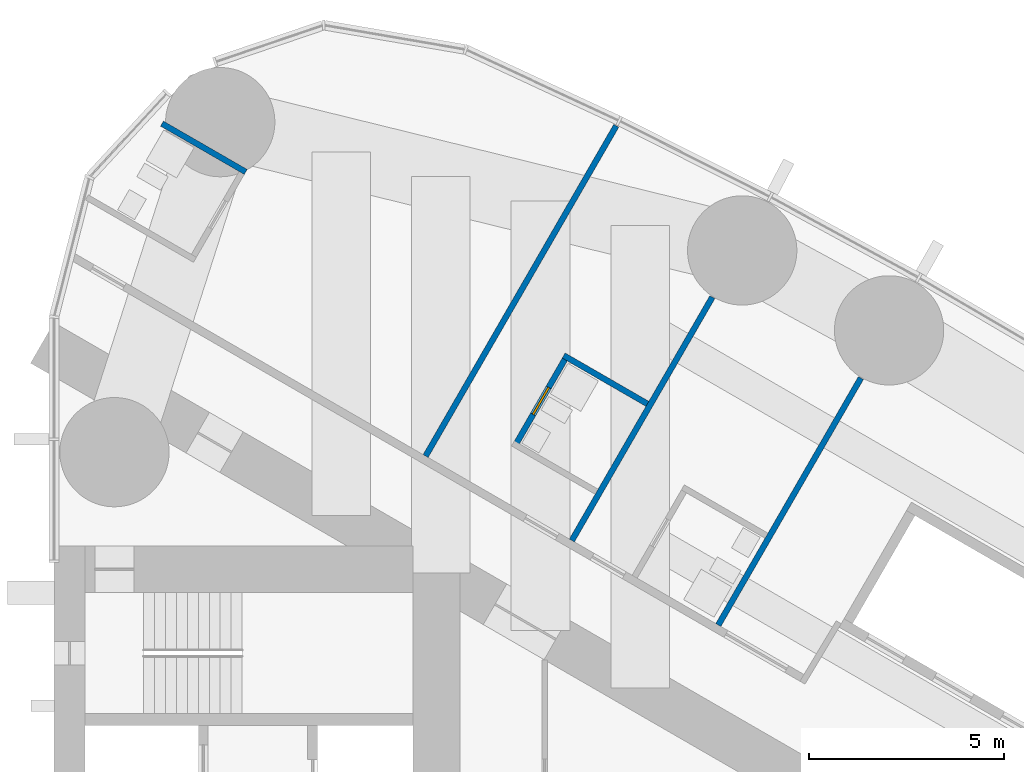
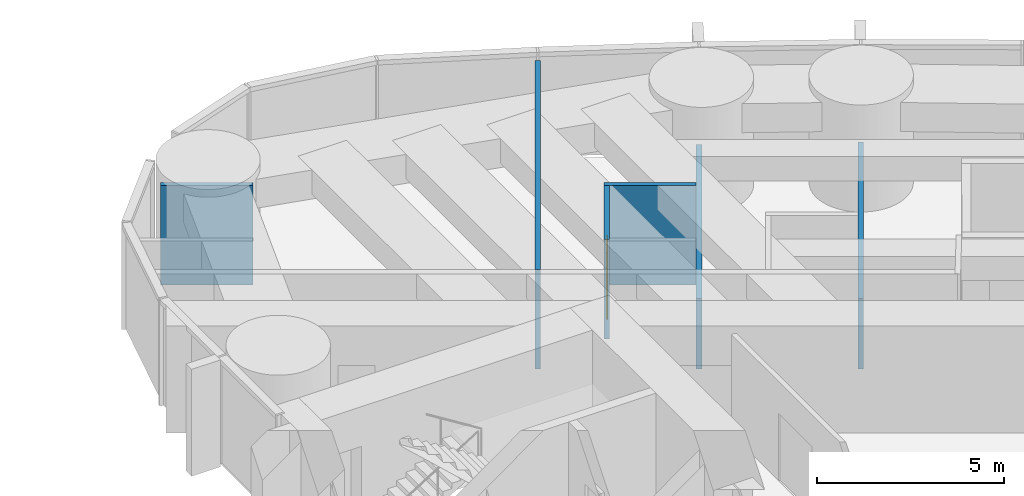
# One storey, part 16 of 19: 6 walls, 1 door, 1 opening.
"""IFC4 building model written with IfcOpenShell, lengths in metres."""

from ifc_helpers import new_model, si_unit, direction, frame, frame_2d, origin, place, context, subcontext, project, spatial, rectangle, extrude, material, layer, layer_set, type_object, element, fill, save


model = new_model("IFC4")

# Units and contexts
model_context = context("Model", 3, precision=1e-05, world=origin(), true_north=direction((0.0, 1.0)))
body_context = subcontext(model_context, "Body", "Model", "MODEL_VIEW")
ifc_project = project(units=[si_unit("LENGTHUNIT", "METRE"), si_unit("AREAUNIT", "SQUARE_METRE"), si_unit("VOLUMEUNIT", "CUBIC_METRE"), si_unit("PLANEANGLEUNIT", "RADIAN"), si_unit("MASSUNIT", "GRAM", prefix="KILO")], contexts=[model_context])

# Site, building, storey
site_placement = place(None, origin())
site = spatial("IfcSite", under=ifc_project, at=site_placement, CompositionType="ELEMENT")
building_placement = place(site_placement, origin())
building = spatial("IfcBuilding", under=site, at=building_placement, Name="Lancet Gate Hotel", CompositionType="ELEMENT")
storey_placement = place(building_placement, frame((0.0, 0.0, 163.300048828125)))
storey = spatial("IfcBuildingStorey", under=building, at=storey_placement, Name="L43", CompositionType="ELEMENT", Elevation=163.300048828125)

# Wall
ifc_material_1 = material(Name="Moisture resistant board partition")
ifc_layer_1 = layer(ifc_material_1, 0.14990234375)
ifc_layer_set_1 = layer_set([ifc_layer_1], Name="Bathroom wall 150")
wall_type_1 = type_object("IfcWallType", Name="Bathroom wall 150", PredefinedType="PARTITIONING", material=ifc_layer_set_1)
wall_1_placement = place(storey_placement, frame((40.56103515625, 13.47607421875, 0.0), z_axis=(0.0, 0.0, 1.0), x_axis=(0.866006523861, -0.500032699561, 0.0)))
element("IfcWall", 1, at=wall_1_placement, inside=storey, type_object=wall_type_1, Name="T2 bathroom wall 150 L43", PredefinedType="PARTITIONING", context=body_context, shape_type="SweptSolid", body=[
    extrude(rectangle(XDim=2.474853515625, YDim=0.14990234375, at=frame_2d((1.2373046875, 0.0))), origin(), (0.0, 0.0, 1.0), 3.25),
])

# Wall, opening, door
wall_2_placement = place(storey_placement, frame((39.325927734375, 11.18701171875, 0.0), z_axis=(0.0, 0.0, 1.0), x_axis=(0.500047596559, 0.865997922154, 0.0)))
wall_2 = element("IfcWall", 2, at=wall_2_placement, inside=storey, type_object=wall_type_1, Name="T2 bathroom wall 150 L43", PredefinedType="PARTITIONING", context=body_context, shape_type="SweptSolid", body=[
    extrude(rectangle(XDim=2.599853515625, YDim=0.14990234375, at=frame_2d((1.2998046875, 0.0))), origin(), (0.0, 0.0, 1.0), 3.25),
])
opening_placement = place(wall_2_placement, frame((0.89990234375, 0.0, 0.0)))
opening = element("IfcOpeningElement", 3, at=opening_placement, cuts=wall_2, Name="Opening 4362-B", PredefinedType="OPENING", context=body_context, shape_type="SweptSolid", body=[
    extrude(rectangle(XDim=0.800048828125, YDim=2.199951171875, at=frame_2d((0.39990234375, 1.10009765625))), frame((0.0, 0.0849609375, 0.0), z_axis=(0.0, -1.0, 0.0), x_axis=(1.0, 0.0, 0.0)), (0.0, 0.0, 1.0), 0.169921875),
])
ifc_material_2 = material(Name="Timber door set", Category="wood")
door_type = type_object("IfcDoorType", Name="Bathroom door 800", OperationType="SINGLE_SWING_RIGHT", PredefinedType="DOOR", material=ifc_material_2)
door_placement = place(opening_placement, origin())
door = element("IfcDoor", 4, at=door_placement, inside=storey, type_object=door_type, Name="4362-B", OperationType="SINGLE_SWING_RIGHT", OverallHeight=2.199951171875, OverallWidth=0.800048828125, PredefinedType="DOOR", context=body_context, shape_type="SweptSolid", body=[
    extrude(rectangle(XDim=0.800048828125, YDim=2.199951171875, at=frame_2d((0.39990234375, 1.10009765625))), frame((0.0, 0.02490234375, 0.0), z_axis=(0.0, -1.0, 0.0), x_axis=(1.0, 0.0, 0.0)), (0.0, 0.0, 1.0), 0.050048828125),
])
fill(opening, door)

# Walls
wall_3_placement = place(storey_placement, frame((30.269287109375, 19.41796875, 0.0), z_axis=(0.0, 0.0, 1.0), x_axis=(0.866006523861, -0.500032699561, 0.0)))
element("IfcWall", 5, at=wall_3_placement, inside=storey, type_object=wall_type_1, Name="T2 bathroom wall 150 L43", PredefinedType="PARTITIONING", context=body_context, shape_type="SweptSolid", body=[
    extrude(rectangle(XDim=2.474853515625, YDim=0.14990234375, at=frame_2d((1.2373046875, 0.0))), origin(), (0.0, 0.0, 1.0), 3.25),
])
ifc_material_3 = material(Name="Gypsum board partition")
ifc_layer_2 = layer(ifc_material_3, 0.14990234375)
ifc_layer_set_2 = layer_set([ifc_layer_2], Name="Party wall 150")
wall_type_2 = type_object("IfcWallType", Name="Party wall 150", PredefinedType="PARTITIONING", material=ifc_layer_set_2)
wall_4_placement = place(storey_placement, frame((37.022216796875, 10.900390625, 0.0), z_axis=(0.0, 0.0, 1.0), x_axis=(0.499998620953, 0.866026199976, 0.0)))
element("IfcWall", 6, at=wall_4_placement, inside=storey, type_object=wall_type_2, Name="T2 party wall 150 L43", PredefinedType="PARTITIONING", context=body_context, shape_type="SweptSolid", body=[
    extrude(rectangle(XDim=9.76953125, YDim=0.14990234375, at=frame_2d((4.884765625, 0.0))), origin(), (0.0, 0.0, 1.0), 3.25),
])
wall_5_placement = place(storey_placement, frame((40.769287109375, 8.737060546875, 0.0), z_axis=(0.0, 0.0, 1.0), x_axis=(0.500013115284, 0.866017831539, 0.0)))
element("IfcWall", 7, at=wall_5_placement, inside=storey, type_object=wall_type_2, Name="T2 party wall 150 L43", PredefinedType="PARTITIONING", context=body_context, shape_type="SweptSolid", body=[
    extrude(rectangle(XDim=7.197998046875, YDim=0.14990234375, at=frame_2d((3.59912109375, 0.0))), origin(), (0.0, 0.0, 1.0), 2.300048828125),
])
wall_6_placement = place(storey_placement, frame((44.521484375, 6.57080078125, 0.0), z_axis=(0.0, 0.0, 1.0), x_axis=(0.500020376429, 0.866013639128, 0.0)))
element("IfcWall", 8, at=wall_6_placement, inside=storey, type_object=wall_type_2, Name="T2 party wall 150 L43", PredefinedType="PARTITIONING", context=body_context, shape_type="SweptSolid", body=[
    extrude(rectangle(XDim=7.306396484375, YDim=0.14990234375, at=frame_2d((3.6533203125, 0.0))), origin(), (0.0, 0.0, 1.0), 2.300048828125),
])

save(model, "model.ifc")
